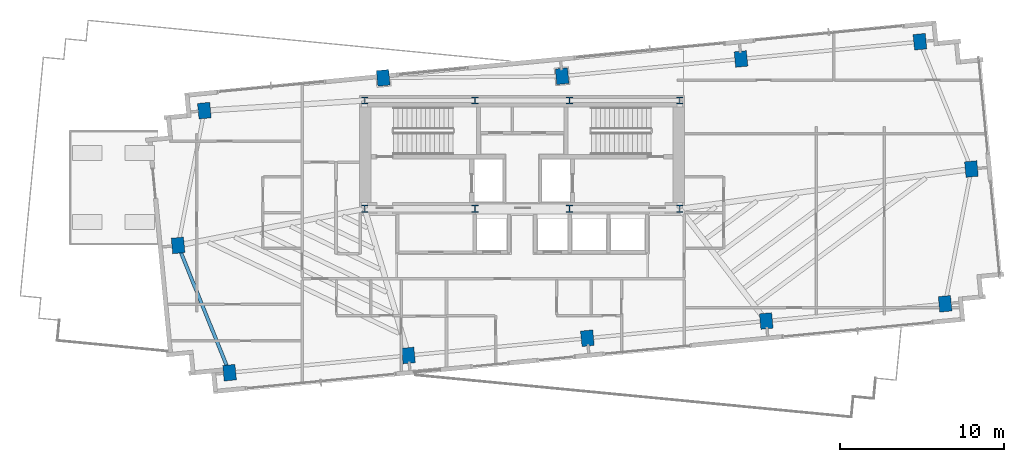
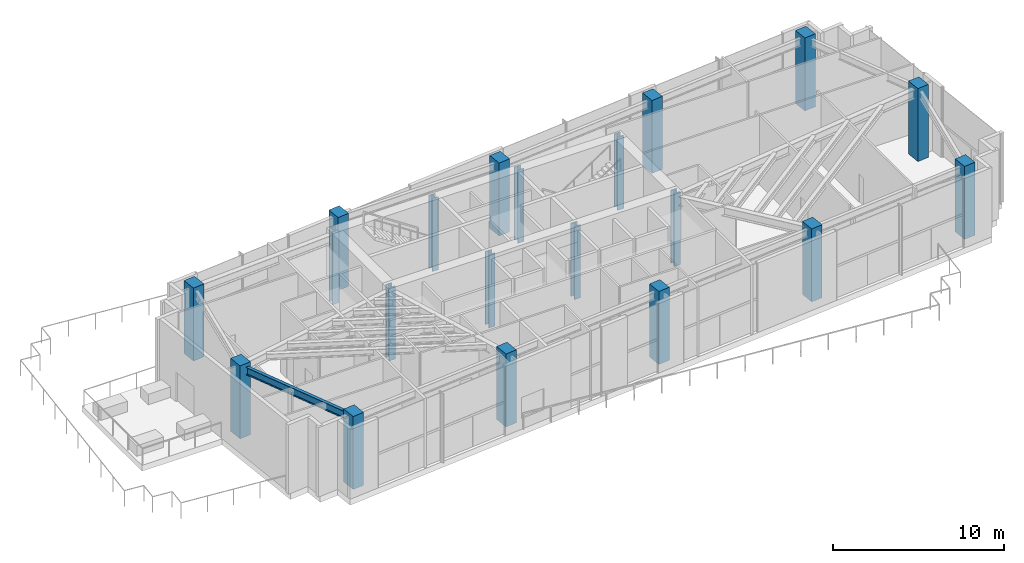
# One storey, part 1 of 21: 20 columns, 1 beam.
"""IFC4 building model written with IfcOpenShell, lengths in metres."""

from ifc_helpers import new_model, si_unit, direction, frame, origin, origin_2d, place, context, subcontext, project, spatial, rectangle, i_section, extrude, source, transform, mapped, material, material_profile, profile_set, type_object, type_shapes, element, save


model = new_model("IFC4")

# Units and contexts
model_context = context("Model", 3, precision=1e-05, world=origin(), true_north=direction((0.0, 1.0)))
body_context = subcontext(model_context, "Body", "Model", "MODEL_VIEW")
ifc_project = project(units=[si_unit("LENGTHUNIT", "METRE"), si_unit("AREAUNIT", "SQUARE_METRE"), si_unit("VOLUMEUNIT", "CUBIC_METRE"), si_unit("PLANEANGLEUNIT", "RADIAN"), si_unit("MASSUNIT", "GRAM", prefix="KILO")], contexts=[model_context])

# Site, building, storey
site_placement = place(None, origin())
site = spatial("IfcSite", under=ifc_project, at=site_placement, CompositionType="ELEMENT")
building_placement = place(site_placement, origin())
building = spatial("IfcBuilding", under=site, at=building_placement, Name="Astriad Promenade Condominiums", CompositionType="ELEMENT")
storey_placement = place(building_placement, frame((0.0, 0.0, 167.800048828125)))
storey = spatial("IfcBuildingStorey", under=building, at=storey_placement, Name="L48", CompositionType="ELEMENT", Elevation=167.800048828125)

# Columns
ifc_material_1 = material(Name="Steel ASTM A992 Grade 50", Category="steel")
ifc_material_profile_1 = material_profile(ifc_material_1, i_section(OverallWidth=0.41552734375, OverallDepth=0.445556640625, WebThickness=0.0390625, FlangeThickness=0.062744140625, FilletRadius=0.017822265625, at=origin_2d()), Name="W14X342")
ifc_profile_set_1 = profile_set([ifc_material_profile_1], Name="Steel ASTM A992 Grade 50")
column_type_1 = type_object("IfcColumnType", Name="STEEL CORE PILASTER W14X342", PredefinedType="PILASTER", material=ifc_profile_set_1)
shared_shape_1 = source(origin(), body_context, "Body", "SweptSolid", [
    extrude(i_section(OverallWidth=0.41552734375, OverallDepth=0.445556640625, WebThickness=0.0390625, FlangeThickness=0.062744140625, FilletRadius=0.017822265625, at=origin_2d()), origin(), (0.0, 0.0, 1.0), 5.196044921875),
])
type_shapes(column_type_1, [shared_shape_1])
for number, where, z_axis, x_axis, name in (
    (1, (26.39990234375, 17.39990234375, 0.001953125), (0.0, 0.0, 1.0), (1.0, 0.0, 0.0), "Core Pilaster Column CP1 (L48)"),
    (2, (33.1201171875, 17.39990234375, 0.001953125), (0.0, 0.0, 1.0), (1.0, 0.0, 0.0), "Core Pilaster Column CP2 (L48)"),
    (3, (38.8798828125, 17.39990234375, 0.001953125), (0.0, 0.0, 1.0), (1.0, 0.0, 0.0), "Core Pilaster Column CP3 (L48)"),
    (4, (45.60009765625, 17.39990234375, 0.001953125), (0.0, 0.0, 1.0), (1.0, 0.0, 0.0), "Core Pilaster Column CP4 (L48)"),
    (5, (26.39990234375, 24.0, 0.001953125), (0.0, 0.0, 1.0), (1.0, 0.0, 0.0), "Core Pilaster Column CP5 (L48)"),
    (6, (33.1201171875, 24.0, 0.001953125), (0.0, 0.0, 1.0), (1.0, 0.0, 0.0), "Core Pilaster Column CP6 (L48)"),
    (7, (38.8798828125, 24.0, 0.001953125), (0.0, 0.0, 1.0), (1.0, 0.0, 0.0), "Core Pilaster Column CP7 (L48)"),
    (8, (45.60009765625, 24.0, 0.001953125), (0.0, 0.0, 1.0), (1.0, 0.0, 0.0), "Core Pilaster Column CP8 (L48)"),
):
    element("IfcColumn", number, at=place(storey_placement, frame(where, z_axis=z_axis, x_axis=x_axis)), inside=storey, type_object=column_type_1, Name=name, PredefinedType="PILASTER", context=body_context, shape_type="MappedRepresentation", body=[
        mapped(shared_shape_1, transform((0.0, 0.0, 0.0), scale=1.0)),
    ])
ifc_material_2 = material(Name="Concrete C50/60", Category="concrete")
ifc_material_profile_2 = material_profile(ifc_material_2, rectangle(XDim=0.75, YDim=0.949951171875, at=origin_2d()), Name="RC-COL-950X750")
ifc_profile_set_2 = profile_set([ifc_material_profile_2], Name="Concrete C50/60")
column_type_2 = type_object("IfcColumnType", Name="CONCRETE TOWER COLUMN 950X750", PredefinedType="COLUMN", material=ifc_profile_set_2)
shared_shape_2 = source(origin(), body_context, "Body", "SweptSolid", [
    extrude(rectangle(XDim=0.75, YDim=0.949951171875, at=origin_2d()), origin(), (0.0, 0.0, 1.0), 5.194091796875),
])
type_shapes(column_type_2, [shared_shape_2])
for number, where, z_axis, x_axis, name in (
    (9, (18.16943359375, 7.41796875, 0.00390625), (0.0, 0.0, 1.0), (0.995396198367, 0.09584575252, 0.0), "Perimeter Column PC01 (L48)"),
    (10, (29.069091796875, 8.46728515625, 0.00390625), (0.0, 0.0, 1.0), (0.995396198367, 0.09584575252, 0.0), "Perimeter Column PC02 (L48)"),
    (11, (39.96875, 9.516845703125, 0.00390625), (0.0, 0.0, 1.0), (0.995396198367, 0.09584575252, 0.0), "Perimeter Column PC03 (L48)"),
    (12, (50.868408203125, 10.56640625, 0.00390625), (0.0, 0.0, 1.0), (0.995396198367, 0.09584575252, 0.0), "Perimeter Column PC04 (L48)"),
    (13, (61.767822265625, 11.615966796875, 0.00390625), (0.0, 0.0, 1.0), (0.995396198367, 0.09584575252, 0.0), "Perimeter Column PC05 (L48)"),
    (14, (16.632080078125, 23.384033203125, 0.00390625), (0.0, 0.0, 1.0), (0.995396198367, 0.09584575252, 0.0), "Perimeter Column PC06 (L48)"),
    (15, (27.53173828125, 25.3798828125, 0.00390625), (0.0, 0.0, 1.0), (0.995396198367, 0.09584575252, 0.0), "Perimeter Column PC07 (L48)"),
    (16, (38.431396484375, 25.483154296875, 0.00390625), (0.0, 0.0, 1.0), (0.995396198367, 0.09584575252, 0.0), "Perimeter Column PC08 (L48)"),
    (17, (49.330810546875, 26.53271484375, 0.00390625), (0.0, 0.0, 1.0), (0.995396198367, 0.09584575252, 0.0), "Perimeter Column PC09 (L48)"),
    (18, (60.23046875, 27.58203125, 0.00390625), (0.0, 0.0, 1.0), (0.995396198367, 0.09584575252, 0.0), "Perimeter Column PC10 (L48)"),
    (19, (15.03173828125, 15.1728515625, 0.00390625), (0.0, 0.0, 1.0), (0.995396198367, 0.09584575252, 0.0), "Perimeter Column PC11 (L48)"),
    (20, (63.3681640625, 19.8271484375, 0.00390625), (0.0, 0.0, 1.0), (0.995396198367, 0.09584575252, 0.0), "Perimeter Column PC12 (L48)"),
):
    element("IfcColumn", number, at=place(storey_placement, frame(where, z_axis=z_axis, x_axis=x_axis)), inside=storey, type_object=column_type_2, Name=name, PredefinedType="COLUMN", context=body_context, shape_type="MappedRepresentation", body=[
        mapped(shared_shape_2, transform((0.0, 0.0, 0.0), scale=1.0)),
    ])

# Beam
ifc_material_profile_3 = material_profile(ifc_material_1, i_section(OverallWidth=0.210693359375, OverallDepth=0.53955078125, WebThickness=0.01171875, FlangeThickness=0.018798828125, FilletRadius=0.0166015625, at=origin_2d()), Name="W21X73")
ifc_profile_set_3 = profile_set([ifc_material_profile_3], Name="Steel ASTM A992 Grade 50")
beam_type = type_object("IfcBeamType", Name="STEEL SPANDREL BEAM W21X73", PredefinedType="SPANDREL", material=ifc_profile_set_3)
shared_shape_3 = source(origin(), body_context, "Body", "SweptSolid", [
    extrude(i_section(OverallWidth=0.210693359375, OverallDepth=0.53955078125, WebThickness=0.01171875, FlangeThickness=0.018798828125, FilletRadius=0.0166015625, at=origin_2d()), origin(), (0.0, 0.0, 1.0), 8.28564453125),
])
type_shapes(beam_type, [shared_shape_3])
beam_placement = place(storey_placement, frame((15.046875, 15.1357421875, 4.670166015625), z_axis=(0.375070987134, -0.926996092014, 0.0), x_axis=(0.926996092014, 0.375070987134, 0.0)))
element("IfcBeam", 21, at=beam_placement, inside=storey, type_object=beam_type, Name="Perimeter Spandrel Beam SP-W1-L48", PredefinedType="SPANDREL", context=body_context, shape_type="MappedRepresentation", body=[
    mapped(shared_shape_3, transform((0.0, 0.0, 0.0), scale=1.0)),
])

save(model, "model.ifc")
